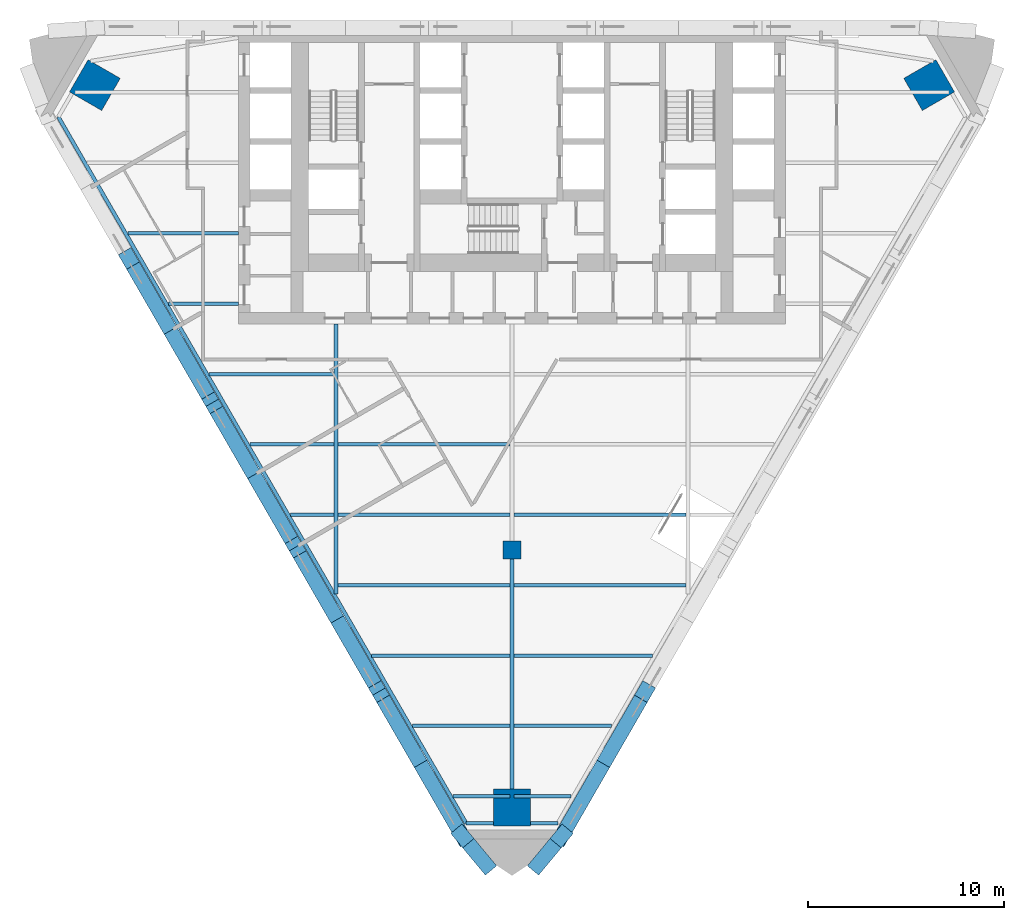
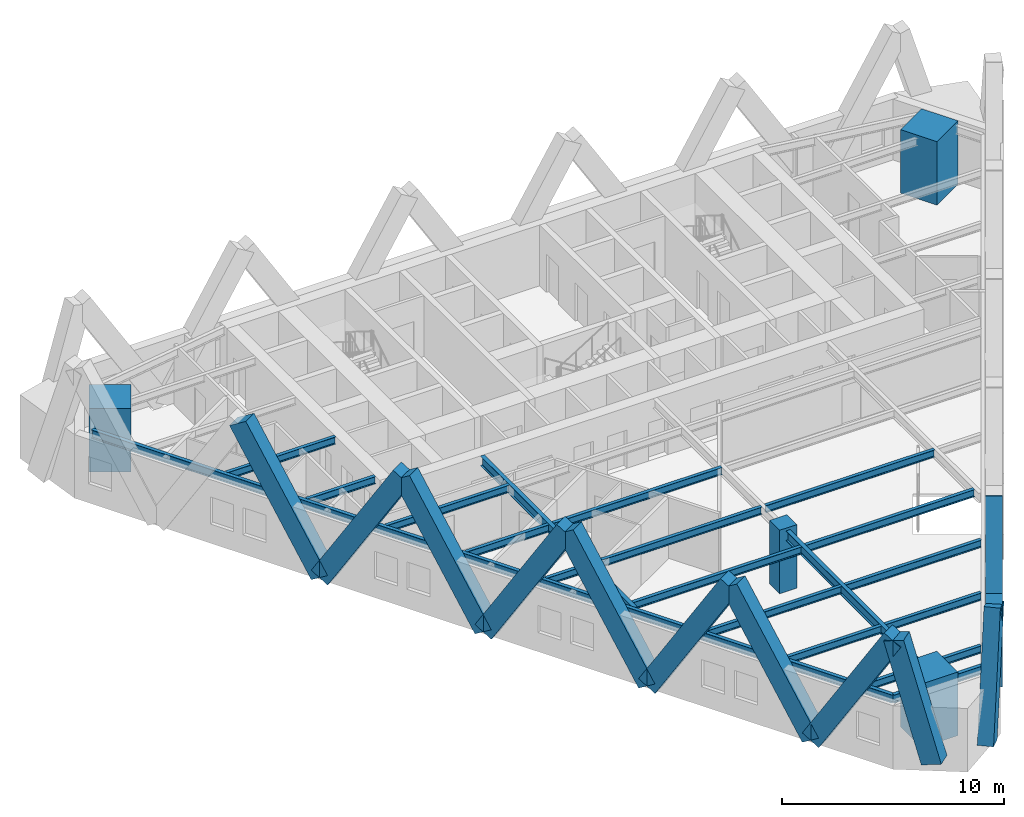
# One storey, part 1 of 10: 21 beams, 12 members, 4 columns.
"""IFC4 building model written with IfcOpenShell, lengths in metres."""

from ifc_helpers import new_model, si_unit, direction, frame, origin, origin_2d, place, context, subcontext, project, spatial, rectangle, i_section, extrude, material, material_profile, profile_set, type_object, element, save


model = new_model("IFC4")

# Units and contexts
model_context = context("Model", 3, precision=1e-05, world=origin(), true_north=direction((0.0, 1.0)))
body_context = subcontext(model_context, "Body", "Model", "MODEL_VIEW")
ifc_project = project(units=[si_unit("LENGTHUNIT", "METRE"), si_unit("AREAUNIT", "SQUARE_METRE"), si_unit("VOLUMEUNIT", "CUBIC_METRE"), si_unit("PLANEANGLEUNIT", "RADIAN"), si_unit("MASSUNIT", "GRAM", prefix="KILO")], contexts=[model_context])

# Site, building, storey
site_placement = place(None, origin())
site = spatial("IfcSite", under=ifc_project, at=site_placement, CompositionType="ELEMENT")
building_placement = place(site_placement, origin())
building = spatial("IfcBuilding", under=site, at=building_placement, Name="Aloe Facet Convention Tower", CompositionType="ELEMENT")
storey_placement = place(building_placement, frame((0.0, 0.0, 116.800048828125)))
storey = spatial("IfcBuildingStorey", under=building, at=storey_placement, Name="L29", CompositionType="ELEMENT", Elevation=116.800048828125)

# Columns
ifc_material_1 = material(Name="Concrete C70/85", Category="concrete")
ifc_material_profile_1 = material_profile(ifc_material_1, rectangle(XDim=0.89990234375, YDim=0.89990234375, at=origin_2d()), Name="SF-GC-Z2")
ifc_profile_set_1 = profile_set([ifc_material_profile_1], Name="Concrete C70/85")
column_type_1 = type_object("IfcColumnType", Name="SF-GC-Z2", PredefinedType="COLUMN", material=ifc_profile_set_1)
column_placement = place(storey_placement, frame((80.0, 108.0, 0.0), z_axis=(0.0, 0.0, 1.0), x_axis=(1.0, 0.0, 0.0)))
element("IfcColumn", 1, at=column_placement, inside=storey, type_object=column_type_1, Name="Gravity column GC-Z2-9D", PredefinedType="COLUMN", context=body_context, shape_type="SweptSolid", body=[
    extrude(rectangle(XDim=0.89990234375, YDim=0.89990234375, at=origin_2d()), origin(), (0.0, 0.0, 1.0), 3.5),
])
ifc_material_2 = material(Name="Concrete C80/95", Category="concrete")
ifc_material_profile_2 = material_profile(ifc_material_2, rectangle(XDim=1.89990234375, YDim=1.89990234375, at=origin_2d()), Name="STW-MC-Z2")
ifc_profile_set_2 = profile_set([ifc_material_profile_2], Name="Concrete C80/95")
column_type_2 = type_object("IfcColumnType", Name="STW-MC-Z2", PredefinedType="COLUMN", material=ifc_profile_set_2)
for number, where, z_axis, x_axis, name in (
    (2, (101.3359375, 131.775146484375, 0.0), (0.0, 0.0, 1.0), (-0.5, 0.866025403784, 0.0), "Mega-column MC-NE-L29"),
    (3, (58.6640625, 131.775146484375, 0.0), (0.0, 0.0, 1.0), (-0.5, -0.866025403784, 0.0), "Mega-column MC-NW-L29"),
    (4, (80.0, 94.8203125, 0.0), (0.0, 0.0, 1.0), (1.0, 0.0, 0.0), "Mega-column MC-S-L29"),
):
    element("IfcColumn", number, at=place(storey_placement, frame(where, z_axis=z_axis, x_axis=x_axis)), inside=storey, type_object=column_type_2, Name=name, PredefinedType="COLUMN", context=body_context, shape_type="SweptSolid", body=[
        extrude(rectangle(XDim=1.89990234375, YDim=1.89990234375, at=origin_2d()), origin(), (0.0, 0.0, 1.0), 3.5),
    ])

# Beams
ifc_material_3 = material(Name="Steel S355", Category="steel")
ifc_material_profile_3 = material_profile(ifc_material_3, i_section(OverallWidth=0.177734375, OverallDepth=0.402587890625, WebThickness=0.0078125, FlangeThickness=0.010986328125, FilletRadius=0.01025390625, at=origin_2d()), Name="UB 406x178x54")
ifc_profile_set_3 = profile_set([ifc_material_profile_3], Name="Steel S355")
beam_type_1 = type_object("IfcBeamType", Name="SF-B-UB406x178x54", PredefinedType="BEAM", material=ifc_profile_set_3)
beam_1_placement = place(storey_placement, frame((60.351318359375, 124.199951171875, 3.148681640625), z_axis=(1.0, 0.0, 0.0), x_axis=(0.0, 1.0, 0.0)))
element("IfcBeam", 5, at=beam_1_placement, inside=storey, type_object=beam_type_1, Name="Floor beam FB-Z2B-015", PredefinedType="BEAM", context=body_context, shape_type="SweptSolid", body=[
    extrude(i_section(OverallWidth=0.177734375, OverallDepth=0.402587890625, WebThickness=0.0078125, FlangeThickness=0.010986328125, FilletRadius=0.01025390625, at=origin_2d()), origin(), (0.0, 0.0, 1.0), 5.648681640625),
])
beam_2_placement = place(storey_placement, frame((62.429931640625, 120.60009765625, 3.148681640625), z_axis=(1.0, 0.0, 0.0), x_axis=(0.0, 1.0, 0.0)))
element("IfcBeam", 6, at=beam_2_placement, inside=storey, type_object=beam_type_1, Name="Floor beam FB-Z2B-016", PredefinedType="BEAM", context=body_context, shape_type="SweptSolid", body=[
    extrude(i_section(OverallWidth=0.177734375, OverallDepth=0.402587890625, WebThickness=0.0078125, FlangeThickness=0.010986328125, FilletRadius=0.01025390625, at=origin_2d()), origin(), (0.0, 0.0, 1.0), 3.570068359375),
])
beam_3_placement = place(storey_placement, frame((64.50830078125, 117.0, 3.148681640625), z_axis=(1.0, 0.0, 0.0), x_axis=(0.0, 1.0, 0.0)))
element("IfcBeam", 7, at=beam_3_placement, inside=storey, type_object=beam_type_1, Name="Floor beam FB-Z2B-017", PredefinedType="BEAM", context=body_context, shape_type="SweptSolid", body=[
    extrude(i_section(OverallWidth=0.177734375, OverallDepth=0.402587890625, WebThickness=0.0078125, FlangeThickness=0.010986328125, FilletRadius=0.01025390625, at=origin_2d()), origin(), (0.0, 0.0, 1.0), 6.38623046875),
])
beam_4_placement = place(storey_placement, frame((66.5869140625, 113.39990234375, 3.148681640625), z_axis=(1.0, 0.0, 0.0), x_axis=(0.0, 1.0, 0.0)))
element("IfcBeam", 8, at=beam_4_placement, inside=storey, type_object=beam_type_1, Name="Floor beam FB-Z2B-018", PredefinedType="BEAM", context=body_context, shape_type="SweptSolid", body=[
    extrude(i_section(OverallWidth=0.177734375, OverallDepth=0.402587890625, WebThickness=0.0078125, FlangeThickness=0.010986328125, FilletRadius=0.01025390625, at=origin_2d()), origin(), (0.0, 0.0, 1.0), 4.3076171875),
])
beam_5_placement = place(storey_placement, frame((68.665283203125, 109.800048828125, 3.148681640625), z_axis=(1.0, 0.0, 0.0), x_axis=(0.0, 1.0, 0.0)))
element("IfcBeam", 9, at=beam_5_placement, inside=storey, type_object=beam_type_1, Name="Floor beam FB-Z2B-019", PredefinedType="BEAM", context=body_context, shape_type="SweptSolid", body=[
    extrude(i_section(OverallWidth=0.177734375, OverallDepth=0.402587890625, WebThickness=0.0078125, FlangeThickness=0.010986328125, FilletRadius=0.01025390625, at=origin_2d()), origin(), (0.0, 0.0, 1.0), 2.229248046875),
])
for number, where, z_axis, x_axis, name in (
    (10, (71.10546875, 106.199951171875, 3.148681640625), (1.0, 0.0, 0.0), (0.0, 1.0, 0.0), "Floor beam FB-Z2B-020"),
    (11, (71.10546875, 109.800048828125, 3.148681640625), (1.0, 0.0, 0.0), (0.0, 1.0, 0.0), "Floor beam FB-Z2B-021"),
    (12, (71.10546875, 113.39990234375, 3.148681640625), (1.0, 0.0, 0.0), (0.0, 1.0, 0.0), "Floor beam FB-Z2B-022"),
):
    element("IfcBeam", number, at=place(storey_placement, frame(where, z_axis=z_axis, x_axis=x_axis)), inside=storey, type_object=beam_type_1, Name=name, PredefinedType="BEAM", context=body_context, shape_type="SweptSolid", body=[
        extrude(i_section(OverallWidth=0.177734375, OverallDepth=0.402587890625, WebThickness=0.0078125, FlangeThickness=0.010986328125, FilletRadius=0.01025390625, at=origin_2d()), origin(), (0.0, 0.0, 1.0), 8.7890625),
    ])
beam_6_placement = place(storey_placement, frame((72.822265625, 102.60009765625, 3.148681640625), z_axis=(1.0, 0.0, 0.0), x_axis=(0.0, 1.0, 0.0)))
element("IfcBeam", 13, at=beam_6_placement, inside=storey, type_object=beam_type_1, Name="Floor beam FB-Z2B-024", PredefinedType="BEAM", context=body_context, shape_type="SweptSolid", body=[
    extrude(i_section(OverallWidth=0.177734375, OverallDepth=0.402587890625, WebThickness=0.0078125, FlangeThickness=0.010986328125, FilletRadius=0.01025390625, at=origin_2d()), origin(), (0.0, 0.0, 1.0), 7.072265625),
])
beam_7_placement = place(storey_placement, frame((74.900634765625, 99.0, 3.148681640625), z_axis=(1.0, 0.0, 0.0), x_axis=(0.0, 1.0, 0.0)))
element("IfcBeam", 14, at=beam_7_placement, inside=storey, type_object=beam_type_1, Name="Floor beam FB-Z2B-025", PredefinedType="BEAM", context=body_context, shape_type="SweptSolid", body=[
    extrude(i_section(OverallWidth=0.177734375, OverallDepth=0.402587890625, WebThickness=0.0078125, FlangeThickness=0.010986328125, FilletRadius=0.01025390625, at=origin_2d()), origin(), (0.0, 0.0, 1.0), 4.993896484375),
])
for number, where, z_axis, x_axis, name in (
    (15, (76.97900390625, 95.39990234375, 3.148681640625), (1.0, 0.0, 0.0), (0.0, 1.0, 0.0), "Floor beam FB-Z2B-026"),
    (16, (80.10546875, 95.39990234375, 3.148681640625), (1.0, 0.0, 0.0), (0.0, 1.0, 0.0), "Floor beam FB-Z2B-027"),
):
    element("IfcBeam", number, at=place(storey_placement, frame(where, z_axis=z_axis, x_axis=x_axis)), inside=storey, type_object=beam_type_1, Name=name, PredefinedType="BEAM", context=body_context, shape_type="SweptSolid", body=[
        extrude(i_section(OverallWidth=0.177734375, OverallDepth=0.402587890625, WebThickness=0.0078125, FlangeThickness=0.010986328125, FilletRadius=0.01025390625, at=origin_2d()), origin(), (0.0, 0.0, 1.0), 2.91552734375),
    ])
beam_8_placement = place(storey_placement, frame((80.10546875, 99.0, 3.148681640625), z_axis=(1.0, 0.0, 0.0), x_axis=(0.0, 1.0, 0.0)))
element("IfcBeam", 17, at=beam_8_placement, inside=storey, type_object=beam_type_1, Name="Floor beam FB-Z2B-028", PredefinedType="BEAM", context=body_context, shape_type="SweptSolid", body=[
    extrude(i_section(OverallWidth=0.177734375, OverallDepth=0.402587890625, WebThickness=0.0078125, FlangeThickness=0.010986328125, FilletRadius=0.01025390625, at=origin_2d()), origin(), (0.0, 0.0, 1.0), 4.993896484375),
])
beam_9_placement = place(storey_placement, frame((80.10546875, 102.60009765625, 3.148681640625), z_axis=(1.0, 0.0, 0.0), x_axis=(0.0, 1.0, 0.0)))
element("IfcBeam", 18, at=beam_9_placement, inside=storey, type_object=beam_type_1, Name="Floor beam FB-Z2B-029", PredefinedType="BEAM", context=body_context, shape_type="SweptSolid", body=[
    extrude(i_section(OverallWidth=0.177734375, OverallDepth=0.402587890625, WebThickness=0.0078125, FlangeThickness=0.010986328125, FilletRadius=0.01025390625, at=origin_2d()), origin(), (0.0, 0.0, 1.0), 7.072265625),
])
for number, where, z_axis, x_axis, name in (
    (19, (80.10546875, 106.199951171875, 3.148681640625), (1.0, 0.0, 0.0), (0.0, 1.0, 0.0), "Floor beam FB-Z2B-030"),
    (20, (80.10546875, 109.800048828125, 3.148681640625), (1.0, 0.0, 0.0), (0.0, 1.0, 0.0), "Floor beam FB-Z2B-031"),
):
    element("IfcBeam", number, at=place(storey_placement, frame(where, z_axis=z_axis, x_axis=x_axis)), inside=storey, type_object=beam_type_1, Name=name, PredefinedType="BEAM", context=body_context, shape_type="SweptSolid", body=[
        extrude(i_section(OverallWidth=0.177734375, OverallDepth=0.402587890625, WebThickness=0.0078125, FlangeThickness=0.010986328125, FilletRadius=0.01025390625, at=origin_2d()), origin(), (0.0, 0.0, 1.0), 8.7890625),
    ])
ifc_material_4 = material(Name="Steel S355", Category="steel")
ifc_material_profile_4 = material_profile(ifc_material_4, i_section(OverallWidth=0.18994140625, OverallDepth=0.453369140625, WebThickness=0.008544921875, FlangeThickness=0.0126953125, FilletRadius=0.01025390625, at=origin_2d()), Name="UB 457x191x67")
ifc_profile_set_4 = profile_set([ifc_material_profile_4], Name="Steel S355")
beam_type_2 = type_object("IfcBeamType", Name="SF-B-UB457x191x67", PredefinedType="BEAM", material=ifc_profile_set_4)
beam_10_placement = place(storey_placement, frame((77.658935546875, 94.01513671875, 3.123291015625), z_axis=(-0.499997308433, 0.866026957756, 0.0), x_axis=(-0.866026957756, -0.499997308433, 0.0)))
element("IfcBeam", 21, at=beam_10_placement, inside=storey, type_object=beam_type_2, Name="Floor beam FB-Z2B-003", PredefinedType="BEAM", context=body_context, shape_type="SweptSolid", body=[
    extrude(i_section(OverallWidth=0.18994140625, OverallDepth=0.453369140625, WebThickness=0.008544921875, FlangeThickness=0.0126953125, FilletRadius=0.01025390625, at=origin_2d()), origin(), (0.0, 0.0, 1.0), 41.725341796875),
])
for number, where, z_axis, x_axis, name in (
    (22, (79.050048828125, 94.01513671875, 3.123291015625), (-1.0, 0.0, 0.0), (0.0, -1.0, 0.0), "Floor beam FB-Z2B-004"),
    (23, (82.341064453125, 94.01513671875, 3.123291015625), (-1.0, 0.0, 0.0), (0.0, -1.0, 0.0), "Floor beam FB-Z2B-005"),
):
    element("IfcBeam", number, at=place(storey_placement, frame(where, z_axis=z_axis, x_axis=x_axis)), inside=storey, type_object=beam_type_2, Name=name, PredefinedType="BEAM", context=body_context, shape_type="SweptSolid", body=[
        extrude(i_section(OverallWidth=0.18994140625, OverallDepth=0.453369140625, WebThickness=0.008544921875, FlangeThickness=0.0126953125, FilletRadius=0.01025390625, at=origin_2d()), origin(), (0.0, 0.0, 1.0), 1.39111328125),
    ])
ifc_material_5 = material(Name="Steel S355", Category="steel")
ifc_material_profile_5 = material_profile(ifc_material_5, i_section(OverallWidth=0.210693359375, OverallDepth=0.53955078125, WebThickness=0.01171875, FlangeThickness=0.018798828125, FilletRadius=0.0126953125, at=origin_2d()), Name="UB 533x210x109")
ifc_profile_set_5 = profile_set([ifc_material_profile_5], Name="Steel S355")
beam_type_3 = type_object("IfcBeamType", Name="SF-B-UB533x210x109", PredefinedType="BEAM", material=ifc_profile_set_5)
beam_11_placement = place(storey_placement, frame((71.0, 119.550048828125, 3.080078125), z_axis=(0.0, -1.0, 0.0), x_axis=(1.0, 0.0, 0.0)))
element("IfcBeam", 24, at=beam_11_placement, inside=storey, type_object=beam_type_3, Name="Floor beam FB-Z2B-009", PredefinedType="BEAM", context=body_context, shape_type="SweptSolid", body=[
    extrude(i_section(OverallWidth=0.210693359375, OverallDepth=0.53955078125, WebThickness=0.01171875, FlangeThickness=0.018798828125, FilletRadius=0.0126953125, at=origin_2d()), origin(), (0.0, 0.0, 1.0), 13.80126953125),
])
beam_12_placement = place(storey_placement, frame((80.0, 107.550048828125, 3.080078125), z_axis=(0.0, -1.0, 0.0), x_axis=(1.0, 0.0, 0.0)))
element("IfcBeam", 25, at=beam_12_placement, inside=storey, type_object=beam_type_3, Name="Floor beam FB-Z2B-010", PredefinedType="BEAM", context=body_context, shape_type="SweptSolid", body=[
    extrude(i_section(OverallWidth=0.210693359375, OverallDepth=0.53955078125, WebThickness=0.01171875, FlangeThickness=0.018798828125, FilletRadius=0.0126953125, at=origin_2d()), origin(), (0.0, 0.0, 1.0), 13.429931640625),
])

# Members
ifc_material_6 = material(Name="Concrete C60/75, bronze oxide finish", Category="concrete")
ifc_material_profile_6 = material_profile(ifc_material_6, rectangle(XDim=0.75, YDim=1.0, at=origin_2d()), Name="STW-LM")
ifc_profile_set_6 = profile_set([ifc_material_profile_6], Name="Concrete C60/75, bronze oxide finish")
member_type = type_object("IfcMemberType", Name="STW-LM", PredefinedType="BRACE", material=ifc_profile_set_6)
for number, where, z_axis, x_axis, name in (
    (26, (62.53466796875, 119.22119140625, 0.0), (-0.260116430601, 0.450564668007, 0.854008736768), (-0.866039720501, -0.4999752019, 0.0), "Lattice member LM-Z2-F2-R5-03"),
    (27, (62.53466796875, 119.22119140625, 0.0), (0.260147691546, -0.450537437867, 0.854013580491), (0.866000615939, 0.500042931351, 0.0), "Lattice member LM-Z2-F2-R5-04"),
    (28, (66.799072265625, 111.835205078125, 0.0), (-0.260116430601, 0.450564668007, 0.854008736768), (-0.866039720501, -0.4999752019, 0.0), "Lattice member LM-Z2-F2-R5-05"),
    (29, (66.799072265625, 111.835205078125, 0.0), (0.26011992139, -0.45054092877, 0.854020197653), (0.866025408043, 0.499999992624, 0.0), "Lattice member LM-Z2-F2-R5-06"),
    (30, (71.063232421875, 104.44921875, 0.0), (-0.260116430601, 0.450564668007, 0.854008736768), (-0.866039720501, -0.4999752019, 0.0), "Lattice member LM-Z2-F2-R5-07"),
    (31, (71.063232421875, 104.44921875, 0.0), (0.260147691546, -0.450537437867, 0.854013580491), (0.866000615939, 0.500042931351, 0.0), "Lattice member LM-Z2-F2-R5-08"),
    (32, (75.32763671875, 97.063232421875, 0.0), (-0.260116430601, 0.450564668007, 0.854008736768), (-0.866039720501, -0.4999752019, 0.0), "Lattice member LM-Z2-F2-R5-09"),
    (33, (75.32763671875, 97.063232421875, 0.0), (0.26011992139, -0.45054092877, 0.854020197653), (0.866025408043, 0.499999992624, 0.0), "Lattice member LM-Z2-F2-R5-10"),
    (34, (84.67236328125, 97.063232421875, 0.0), (-0.26011992139, -0.45054092877, 0.854020197653), (0.866025408043, -0.499999992624, 0.0), "Lattice member LM-Z2-F3-R5-01"),
    (35, (84.67236328125, 97.063232421875, 0.0), (0.260116430601, 0.450564668007, 0.854008736768), (-0.866039720501, 0.4999752019, 0.0), "Lattice member LM-Z2-F3-R5-02"),
):
    element("IfcMember", number, at=place(storey_placement, frame(where, z_axis=z_axis, x_axis=x_axis)), inside=storey, type_object=member_type, Name=name, PredefinedType="BRACE", context=body_context, shape_type="SweptSolid", body=[
        extrude(rectangle(XDim=0.75, YDim=1.0, at=origin_2d()), origin(), (0.0, 0.0, 1.0), 8.196533203125),
    ])
for number, where, z_axis, x_axis, name in (
    (36, (78.619140625, 91.977294921875, 0.610595703125), (-0.174572857537, 0.209752100465, 0.962043852307), (-0.768618617488, -0.639707293104, 0.0), "Lattice member LM-Z2-F5-R4-05"),
    (37, (81.380859375, 91.977294921875, 0.610595703125), (0.174572857537, 0.209752100465, 0.962043852307), (-0.768618617488, 0.639707293104, 0.0), "Lattice member LM-Z2-F5-R4-06"),
):
    element("IfcMember", number, at=place(storey_placement, frame(where, z_axis=z_axis, x_axis=x_axis)), inside=storey, type_object=member_type, Name=name, PredefinedType="BRACE", context=body_context, shape_type="SweptSolid", body=[
        extrude(rectangle(XDim=0.75, YDim=1.0, at=origin_2d()), origin(), (0.0, 0.0, 1.0), 6.6416015625),
    ])

save(model, "model.ifc")
